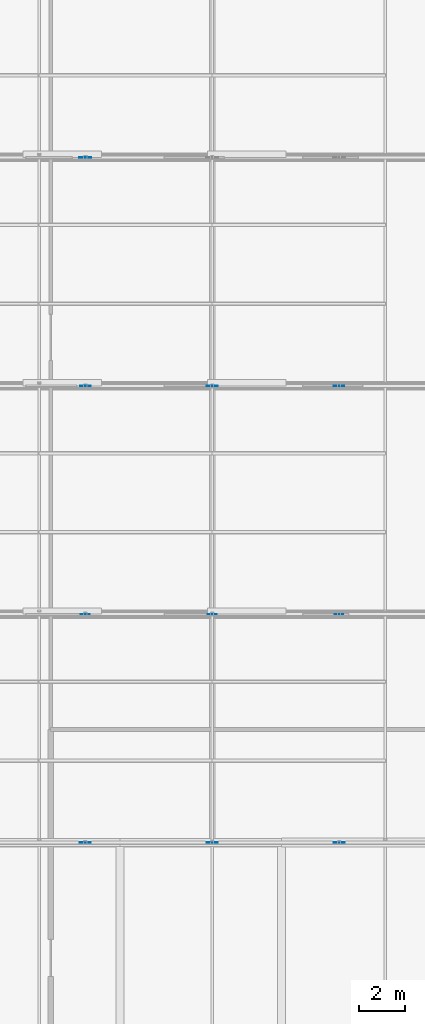
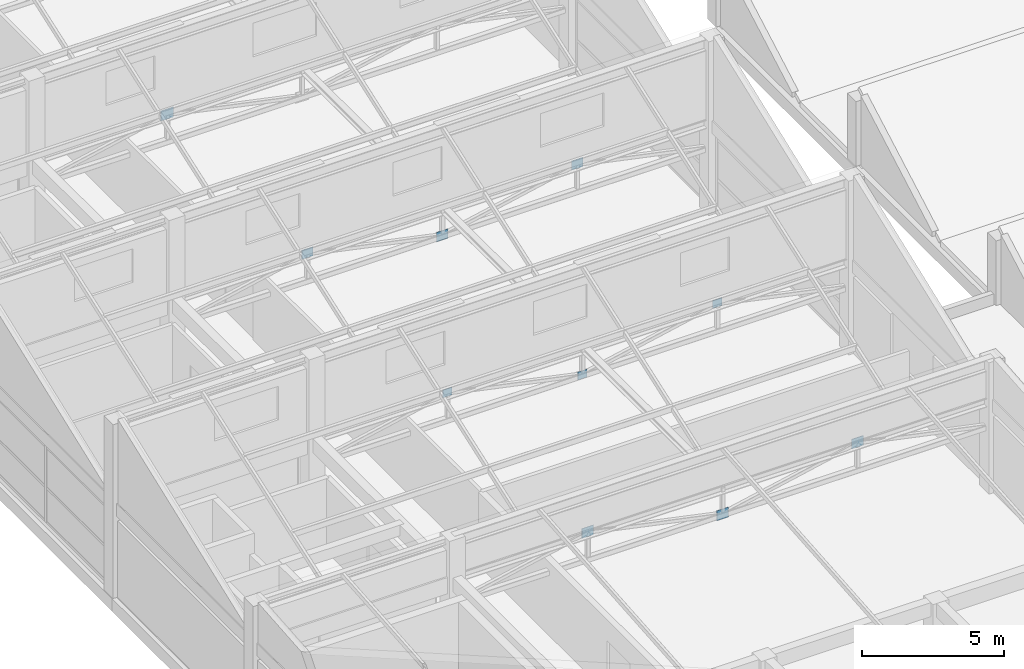
# One storey, part 27 of 35: 10 plates.
"""IFC4 building model written with IfcOpenShell, lengths in metres."""

import ifcopenshell
import ifcopenshell.guid

model = None  # the IFC model being written
_history = None  # IfcOwnerHistory: only IFC2X3 demands one
_inside = {}  # id of a spatial element -> (the spatial element, [elements in it])
_under = {}  # id of a project, library or spatial element -> (it, [spatial elements below it])
_declared = {}  # id of a project -> (the project, [libraries it declares])
_typed = {}  # id of a type object -> (the type object, [elements of that type])
_made_of = {}  # id of a material, layer set ... -> (it, [elements and type objects made of it])


def new_model(schema):
    """Start an empty IFC model of exactly this schema.

    Asked for "IFC4X3", IfcOpenShell would pick the latest addendum, in which some entities
    have other attributes; the version numbers below select the first issue.
    IFC2X3 requires an IfcOwnerHistory on every rooted entity: one is made here for all.
    """
    global model, _history
    if schema == "IFC4X3":
        model = ifcopenshell.file(schema_version=(4, 3, 0, 0))
    else:
        model = ifcopenshell.file(schema=schema)
    _inside.clear()
    _under.clear()
    _declared.clear()
    _typed.clear()
    _made_of.clear()
    _history = None
    if model.schema == "IFC2X3":
        org = make("IfcOrganization", Name="unknown")
        user = make(
            "IfcPersonAndOrganization",
            ThePerson=make("IfcPerson", FamilyName="unknown"),
            TheOrganization=org,
        )
        app = make(
            "IfcApplication",
            ApplicationDeveloper=org,
            Version="unknown",
            ApplicationFullName="unknown",
            ApplicationIdentifier="unknown",
        )
        _history = make(
            "IfcOwnerHistory",
            OwningUser=user,
            OwningApplication=app,
            ChangeAction="ADDED",
            CreationDate=0,
        )
    return model


def make(cls, **values):
    """One entity of the class cls with the attributes given. An attribute that is None is left unset."""
    return model.create_entity(
        cls, **{name: value for name, value in values.items() if value is not None}
    )


def rooted(cls, **values):
    """An entity with a GlobalId (a new one), such as an element, a storey or a relation."""
    return make(cls, GlobalId=ifcopenshell.guid.new(), OwnerHistory=_history, **values)


def si_unit(unit_type, name, prefix=None):
    """IfcSIUnit, for example si_unit("LENGTHUNIT", "METRE", prefix="MILLI")."""
    return make("IfcSIUnit", UnitType=unit_type, Prefix=prefix, Name=name)


def assignment(units):
    """IfcUnitAssignment: the units of a project."""
    return None if units is None else make("IfcUnitAssignment", Units=units)


def point(xyz):
    """IfcCartesianPoint."""
    return None if xyz is None else make("IfcCartesianPoint", Coordinates=xyz)


def direction(xyz):
    """IfcDirection."""
    return None if xyz is None else make("IfcDirection", DirectionRatios=xyz)


def frame(location, z_axis=None, x_axis=None):
    """IfcAxis2Placement3D, a coordinate frame: its origin and axes. An axis left out is left unset."""
    return make(
        "IfcAxis2Placement3D",
        Location=point(location),
        Axis=direction(z_axis),
        RefDirection=direction(x_axis),
    )


def frame_2d(location, x_axis=None):
    """IfcAxis2Placement2D, a coordinate frame in the plane: its origin and x axis."""
    return make(
        "IfcAxis2Placement2D", Location=point(location), RefDirection=direction(x_axis)
    )


def origin():
    """The frame at (0, 0, 0) with its axes left unset."""
    return frame((0.0, 0.0, 0.0))


def origin_2d():
    """The frame at (0, 0) in the plane with its x axis left unset."""
    return frame_2d((0.0, 0.0))


def place(relative_to, where):
    """IfcLocalPlacement: puts the frame where relative to a parent placement (None: the world)."""
    return make(
        "IfcLocalPlacement", PlacementRelTo=relative_to, RelativePlacement=where
    )


def context(
    kind, dimensions, precision=None, world=None, true_north=None, identifier=None
):
    """IfcGeometricRepresentationContext, for example the 3D "Model" context."""
    return make(
        "IfcGeometricRepresentationContext",
        ContextIdentifier=identifier,
        ContextType=kind,
        CoordinateSpaceDimension=dimensions,
        Precision=precision,
        WorldCoordinateSystem=world,
        TrueNorth=true_north,
    )


def subcontext(parent, identifier, kind, view, scale=None):
    """IfcGeometricRepresentationSubContext, for example "Body" below "Model"."""
    return make(
        "IfcGeometricRepresentationSubContext",
        ContextIdentifier=identifier,
        ContextType=kind,
        ParentContext=parent,
        TargetScale=scale,
        TargetView=view,
    )


def project(units=None, contexts=None):
    """IfcProject with its units and contexts."""
    return rooted(
        "IfcProject",
        Name="project",
        RepresentationContexts=contexts,
        UnitsInContext=assignment(units),
    )


def spatial(cls, under=None, at=None, **own):
    """A site, building, storey or space (cls), placed at a placement, below another one or the project."""
    s = rooted(cls, ObjectPlacement=at, **own)
    if under is not None:
        _under.setdefault(under.id(), (under, []))[1].append(s)
    return s


def profile(cls, at=None, kind="AREA", **sizes):
    """A parametric profile (cls). Its sizes go by their IFC names, for example OverallWidth=200.0."""
    return make(cls, ProfileType=kind, Position=at, **sizes)


def rectangle(**sizes):
    """IfcRectangleProfileDef."""
    return profile("IfcRectangleProfileDef", **sizes)


def extrude(swept, where, along, depth):
    """IfcExtrudedAreaSolid: the profile swept, set in the frame where, extruded along a direction by depth."""
    return make(
        "IfcExtrudedAreaSolid",
        SweptArea=swept,
        Position=where,
        ExtrudedDirection=direction(along),
        Depth=depth,
    )


def shape(context_of_items, identifier, shape_type, items):
    """IfcShapeRepresentation: the items that make up one representation, for example the "Body"."""
    return make(
        "IfcShapeRepresentation",
        ContextOfItems=context_of_items,
        RepresentationIdentifier=identifier,
        RepresentationType=shape_type,
        Items=items,
    )


def material(Name=None, Category=None):
    """IfcMaterial."""
    return make("IfcMaterial", Name=Name, Category=Category)


def layer(
    of_material, thickness, ventilated=None, Name=None, Category=None, Priority=None
):
    """IfcMaterialLayer: one layer of a wall or slab, of a material (None: an air gap)."""
    return make(
        "IfcMaterialLayer",
        Material=of_material,
        LayerThickness=thickness,
        IsVentilated=ventilated,
        Name=Name,
        Category=Category,
        Priority=Priority,
    )


def layer_set(layers, Name=None):
    """IfcMaterialLayerSet."""
    return make("IfcMaterialLayerSet", MaterialLayers=layers, LayerSetName=Name)


def made_of(thing, what):
    """Note that an element or type object is made of a material, layer set ...; save() writes the relation."""
    if what is not None:
        _made_of.setdefault(what.id(), (what, []))[1].append(thing)
    return thing


def type_object(cls, material=None, **own):
    """A type object (cls), such as IfcWallType, which elements share."""
    return made_of(rooted(cls, **own), material)


def element(
    cls,
    number,
    at=None,
    inside=None,
    cuts=None,
    type_object=None,
    material=None,
    context=None,
    identifier="Body",
    shape_type=None,
    held_by="IfcProductDefinitionShape",
    body=None,
    shapes=None,
    **own,
):
    """One element of the class cls, such as IfcWall. Its Tag is "e" and its number.

    at: its placement. inside: the storey or other place that contains it. cuts: it is an
    opening in that element (IfcRelVoidsElement). A single representation is given by context,
    identifier, shape_type and body (its items); several are given by shapes. held_by: the class
    of the entity that holds the representations. save() writes the other relations.
    """
    e = rooted(cls, Tag="e%d" % number, ObjectPlacement=at, **own)
    if body is not None:
        shapes = [shape(context, identifier, shape_type, body)]
    if shapes is not None:
        e.Representation = make(held_by, Representations=shapes)
    if inside is not None:
        _inside.setdefault(inside.id(), (inside, []))[1].append(e)
    if cuts is not None:
        rooted(
            "IfcRelVoidsElement", RelatingBuildingElement=cuts, RelatedOpeningElement=e
        )
    if type_object is not None:
        _typed.setdefault(type_object.id(), (type_object, []))[1].append(e)
    return made_of(e, material)


def aggregate(whole, parts):
    """IfcRelAggregates: a whole, such as a stair, and the parts it consists of."""
    return rooted("IfcRelAggregates", RelatingObject=whole, RelatedObjects=parts)


def save(model, path):
    """Write the relations noted so far, then the file.

    IfcRelAggregates (storeys below a building ...), IfcRelContainedInSpatialStructure (elements
    in a storey), IfcRelDefinesByType, IfcRelAssociatesMaterial and IfcRelDeclares: one each for
    every whole, place, type object, material and project.
    """
    for whole, parts in _under.values():
        aggregate(whole, parts)
    for where, things in _inside.values():
        rooted(
            "IfcRelContainedInSpatialStructure",
            RelatedElements=things,
            RelatingStructure=where,
        )
    for kind, things in _typed.values():
        rooted("IfcRelDefinesByType", RelatedObjects=things, RelatingType=kind)
    for what, things in _made_of.values():
        rooted("IfcRelAssociatesMaterial", RelatedObjects=things, RelatingMaterial=what)
    for by, libraries in _declared.values():
        rooted("IfcRelDeclares", RelatingContext=by, RelatedDefinitions=libraries)
    model.write(path)


model = new_model("IFC4")

# Units and contexts
model_context = context("Model", 3, precision=1e-05, world=origin(), true_north=direction((0.0, 1.0)))
body_context = subcontext(model_context, "Body", "Model", "MODEL_VIEW")
ifc_project = project(units=[si_unit("LENGTHUNIT", "METRE"), si_unit("AREAUNIT", "SQUARE_METRE"), si_unit("VOLUMEUNIT", "CUBIC_METRE"), si_unit("PLANEANGLEUNIT", "RADIAN"), si_unit("MASSUNIT", "GRAM", prefix="KILO")], contexts=[model_context])

# Site, building, storey
site_placement = place(None, origin())
site = spatial("IfcSite", under=ifc_project, at=site_placement, CompositionType="ELEMENT")
building_placement = place(site_placement, origin())
building = spatial("IfcBuilding", under=site, at=building_placement, Name="Sillaruma Civic Art Gallery", CompositionType="ELEMENT")
storey_placement = place(building_placement, frame((0.0, 0.0, 74.4599609375)))
storey = spatial("IfcBuildingStorey", under=building, at=storey_placement, Name="L15", CompositionType="ELEMENT", Elevation=74.4599609375)

# Plates
ifc_material = material(Name="Structural Steel ASTM A992 Gr.50", Category="steel")
ifc_layer_1 = layer(ifc_material, 0.01611328125, Name="Structural Steel ASTM A992 Gr.50")
ifc_layer_set_1 = layer_set([ifc_layer_1], Name="Structural Steel ASTM A992 Gr.50")
plate_type_1 = type_object("IfcPlateType", Name="PLT-GUS-16", PredefinedType="SHEET", material=ifc_layer_set_1)
for number, where, z_axis, x_axis, name in (
    (1, (75.5, 49.5, 3.68798828125), (0.0, 0.0, 1.0), (1.0, 0.0, 0.0), "Truss Gusset Plate GP-05 (TR-L15-2-1)"),
    (2, (81.0, 49.5, 2.52978515625), (0.0, 0.0, 1.0), (1.0, 0.0, 0.0), "Truss Gusset Plate GP-05 (TR-L15-2-2)"),
    (3, (86.5, 49.5, 3.68798828125), (0.0, 0.0, 1.0), (1.0, 0.0, 0.0), "Truss Gusset Plate GP-05 (TR-L15-2-3)"),
):
    element("IfcPlate", number, at=place(storey_placement, frame(where, z_axis=z_axis, x_axis=x_axis)), inside=storey, type_object=plate_type_1, Name=name, PredefinedType="SHEET", context=body_context, shape_type="SweptSolid", body=[
        extrude(rectangle(XDim=0.3798828125, YDim=0.01611328125, at=origin_2d()), origin(), (0.0, 0.0, 1.0), 0.340087890625),
    ])
ifc_layer_2 = layer(ifc_material, 0.02001953125, Name="Structural Steel ASTM A992 Gr.50")
ifc_layer_set_2 = layer_set([ifc_layer_2], Name="Structural Steel ASTM A992 Gr.50")
plate_type_2 = type_object("IfcPlateType", Name="PLT-GUS-20", PredefinedType="SHEET", material=ifc_layer_set_2)
for number, where, z_axis, x_axis, name in (
    (4, (75.5, 59.39990234375, 3.658203125), (0.0, 0.0, 1.0), (1.0, 0.0, 0.0), "Truss Gusset Plate GP-01 (TR-L15-3-1)"),
    (5, (81.0, 59.39990234375, 2.5), (0.0, 0.0, 1.0), (1.0, 0.0, 0.0), "Truss Gusset Plate GP-01 (TR-L15-3-2)"),
    (6, (86.5, 59.39990234375, 3.658203125), (0.0, 0.0, 1.0), (1.0, 0.0, 0.0), "Truss Gusset Plate GP-01 (TR-L15-3-3)"),
):
    element("IfcPlate", number, at=place(storey_placement, frame(where, z_axis=z_axis, x_axis=x_axis)), inside=storey, type_object=plate_type_2, Name=name, PredefinedType="SHEET", context=body_context, shape_type="SweptSolid", body=[
        extrude(rectangle(XDim=0.4599609375, YDim=0.02001953125, at=origin_2d()), origin(), (0.0, 0.0, 1.0), 0.39990234375),
    ])
ifc_layer_3 = layer(ifc_material, 0.02197265625, Name="Structural Steel ASTM A992 Gr.50")
ifc_layer_set_3 = layer_set([ifc_layer_3], Name="Structural Steel ASTM A992 Gr.50")
plate_type_3 = type_object("IfcPlateType", Name="PLT-GUS-22", PredefinedType="SHEET", material=ifc_layer_set_3)
for number, where, z_axis, x_axis, name in (
    (7, (75.5, 39.60009765625, 3.648193359375), (0.0, 0.0, 1.0), (1.0, 0.0, 0.0), "Truss Gusset Plate GP-04 (TR-L15-1-1)"),
    (8, (81.0, 39.60009765625, 2.489990234375), (0.0, 0.0, 1.0), (1.0, 0.0, 0.0), "Truss Gusset Plate GP-04 (TR-L15-1-2)"),
    (9, (86.5, 39.60009765625, 3.648193359375), (0.0, 0.0, 1.0), (1.0, 0.0, 0.0), "Truss Gusset Plate GP-04 (TR-L15-1-3)"),
):
    element("IfcPlate", number, at=place(storey_placement, frame(where, z_axis=z_axis, x_axis=x_axis)), inside=storey, type_object=plate_type_3, Name=name, PredefinedType="SHEET", context=body_context, shape_type="SweptSolid", body=[
        extrude(rectangle(XDim=0.47998046875, YDim=0.02197265625, at=origin_2d()), origin(), (0.0, 0.0, 1.0), 0.419921875),
    ])
ifc_layer_4 = layer(ifc_material, 0.02392578125, Name="Structural Steel ASTM A992 Gr.50")
ifc_layer_set_4 = layer_set([ifc_layer_4], Name="Structural Steel ASTM A992 Gr.50")
plate_type_4 = type_object("IfcPlateType", Name="PLT-GUS-24", PredefinedType="SHEET", material=ifc_layer_set_4)
plate_placement = place(storey_placement, frame((75.5, 69.300048828125, 3.63818359375), z_axis=(0.0, 0.0, 1.0), x_axis=(1.0, 0.0, 0.0)))
element("IfcPlate", 10, at=plate_placement, inside=storey, type_object=plate_type_4, Name="Truss Gusset Plate GP-02 (TR-L15-4-1)", PredefinedType="SHEET", context=body_context, shape_type="SweptSolid", body=[
    extrude(rectangle(XDim=0.52001953125, YDim=0.02392578125, at=origin_2d()), origin(), (0.0, 0.0, 1.0), 0.43994140625),
])

save(model, "model.ifc")
